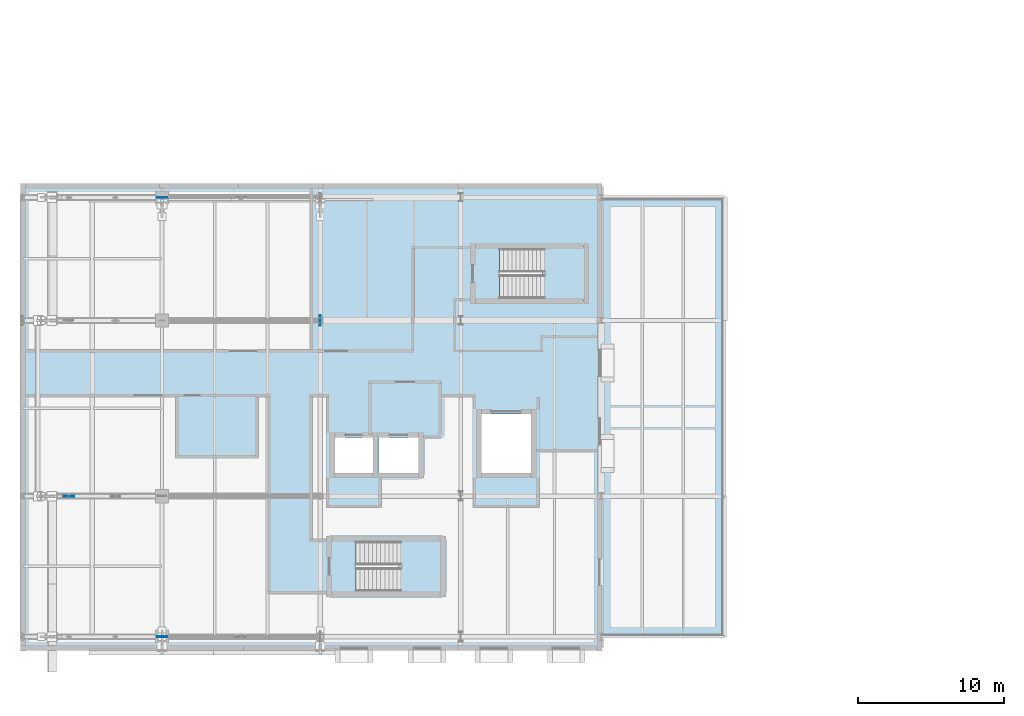
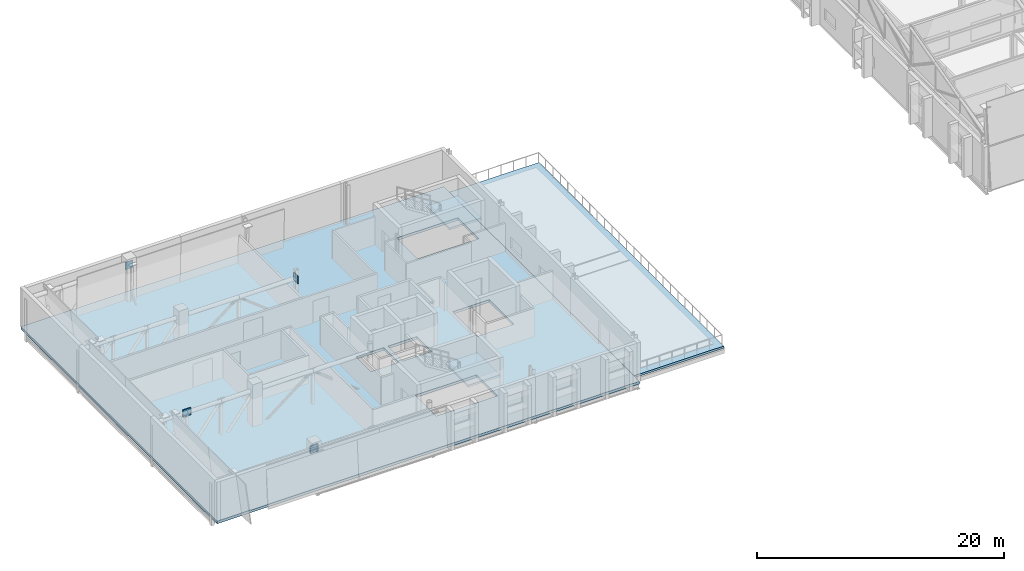
# One storey, part 59 of 89: 4 plates, 4 slabs, 2 elements without a shape of their own.
"""IFC4 building model written with IfcOpenShell, lengths in metres."""

import ifcopenshell
import ifcopenshell.guid

model = None  # the IFC model being written
_history = None  # IfcOwnerHistory: only IFC2X3 demands one
_inside = {}  # id of a spatial element -> (the spatial element, [elements in it])
_under = {}  # id of a project, library or spatial element -> (it, [spatial elements below it])
_declared = {}  # id of a project -> (the project, [libraries it declares])
_typed = {}  # id of a type object -> (the type object, [elements of that type])
_made_of = {}  # id of a material, layer set ... -> (it, [elements and type objects made of it])


def new_model(schema):
    """Start an empty IFC model of exactly this schema.

    Asked for "IFC4X3", IfcOpenShell would pick the latest addendum, in which some entities
    have other attributes; the version numbers below select the first issue.
    IFC2X3 requires an IfcOwnerHistory on every rooted entity: one is made here for all.
    """
    global model, _history
    if schema == "IFC4X3":
        model = ifcopenshell.file(schema_version=(4, 3, 0, 0))
    else:
        model = ifcopenshell.file(schema=schema)
    _inside.clear()
    _under.clear()
    _declared.clear()
    _typed.clear()
    _made_of.clear()
    _history = None
    if model.schema == "IFC2X3":
        org = make("IfcOrganization", Name="unknown")
        user = make(
            "IfcPersonAndOrganization",
            ThePerson=make("IfcPerson", FamilyName="unknown"),
            TheOrganization=org,
        )
        app = make(
            "IfcApplication",
            ApplicationDeveloper=org,
            Version="unknown",
            ApplicationFullName="unknown",
            ApplicationIdentifier="unknown",
        )
        _history = make(
            "IfcOwnerHistory",
            OwningUser=user,
            OwningApplication=app,
            ChangeAction="ADDED",
            CreationDate=0,
        )
    return model


def make(cls, **values):
    """One entity of the class cls with the attributes given. An attribute that is None is left unset."""
    return model.create_entity(
        cls, **{name: value for name, value in values.items() if value is not None}
    )


def rooted(cls, **values):
    """An entity with a GlobalId (a new one), such as an element, a storey or a relation."""
    return make(cls, GlobalId=ifcopenshell.guid.new(), OwnerHistory=_history, **values)


def si_unit(unit_type, name, prefix=None):
    """IfcSIUnit, for example si_unit("LENGTHUNIT", "METRE", prefix="MILLI")."""
    return make("IfcSIUnit", UnitType=unit_type, Prefix=prefix, Name=name)


def assignment(units):
    """IfcUnitAssignment: the units of a project."""
    return None if units is None else make("IfcUnitAssignment", Units=units)


def point(xyz):
    """IfcCartesianPoint."""
    return None if xyz is None else make("IfcCartesianPoint", Coordinates=xyz)


def direction(xyz):
    """IfcDirection."""
    return None if xyz is None else make("IfcDirection", DirectionRatios=xyz)


def frame(location, z_axis=None, x_axis=None):
    """IfcAxis2Placement3D, a coordinate frame: its origin and axes. An axis left out is left unset."""
    return make(
        "IfcAxis2Placement3D",
        Location=point(location),
        Axis=direction(z_axis),
        RefDirection=direction(x_axis),
    )


def frame_2d(location, x_axis=None):
    """IfcAxis2Placement2D, a coordinate frame in the plane: its origin and x axis."""
    return make(
        "IfcAxis2Placement2D", Location=point(location), RefDirection=direction(x_axis)
    )


def origin():
    """The frame at (0, 0, 0) with its axes left unset."""
    return frame((0.0, 0.0, 0.0))


def origin_2d():
    """The frame at (0, 0) in the plane with its x axis left unset."""
    return frame_2d((0.0, 0.0))


def place(relative_to, where):
    """IfcLocalPlacement: puts the frame where relative to a parent placement (None: the world)."""
    return make(
        "IfcLocalPlacement", PlacementRelTo=relative_to, RelativePlacement=where
    )


def context(
    kind, dimensions, precision=None, world=None, true_north=None, identifier=None
):
    """IfcGeometricRepresentationContext, for example the 3D "Model" context."""
    return make(
        "IfcGeometricRepresentationContext",
        ContextIdentifier=identifier,
        ContextType=kind,
        CoordinateSpaceDimension=dimensions,
        Precision=precision,
        WorldCoordinateSystem=world,
        TrueNorth=true_north,
    )


def subcontext(parent, identifier, kind, view, scale=None):
    """IfcGeometricRepresentationSubContext, for example "Body" below "Model"."""
    return make(
        "IfcGeometricRepresentationSubContext",
        ContextIdentifier=identifier,
        ContextType=kind,
        ParentContext=parent,
        TargetScale=scale,
        TargetView=view,
    )


def project(units=None, contexts=None):
    """IfcProject with its units and contexts."""
    return rooted(
        "IfcProject",
        Name="project",
        RepresentationContexts=contexts,
        UnitsInContext=assignment(units),
    )


def spatial(cls, under=None, at=None, **own):
    """A site, building, storey or space (cls), placed at a placement, below another one or the project."""
    s = rooted(cls, ObjectPlacement=at, **own)
    if under is not None:
        _under.setdefault(under.id(), (under, []))[1].append(s)
    return s


def polyline(points):
    """IfcPolyline through the points."""
    return make("IfcPolyline", Points=[point(p) for p in points])


def profile(cls, at=None, kind="AREA", **sizes):
    """A parametric profile (cls). Its sizes go by their IFC names, for example OverallWidth=200.0."""
    return make(cls, ProfileType=kind, Position=at, **sizes)


def rectangle(**sizes):
    """IfcRectangleProfileDef."""
    return profile("IfcRectangleProfileDef", **sizes)


def outline(outer, holes=None, kind="AREA"):
    """IfcArbitraryClosedProfileDef: a profile drawn as a closed curve; with holes, ...WithVoids."""
    if holes is None:
        return make("IfcArbitraryClosedProfileDef", ProfileType=kind, OuterCurve=outer)
    return make(
        "IfcArbitraryProfileDefWithVoids",
        ProfileType=kind,
        OuterCurve=outer,
        InnerCurves=holes,
    )


def extrude(swept, where, along, depth):
    """IfcExtrudedAreaSolid: the profile swept, set in the frame where, extruded along a direction by depth."""
    return make(
        "IfcExtrudedAreaSolid",
        SweptArea=swept,
        Position=where,
        ExtrudedDirection=direction(along),
        Depth=depth,
    )


def shape(context_of_items, identifier, shape_type, items):
    """IfcShapeRepresentation: the items that make up one representation, for example the "Body"."""
    return make(
        "IfcShapeRepresentation",
        ContextOfItems=context_of_items,
        RepresentationIdentifier=identifier,
        RepresentationType=shape_type,
        Items=items,
    )


def material(Name=None, Category=None):
    """IfcMaterial."""
    return make("IfcMaterial", Name=Name, Category=Category)


def layer(
    of_material, thickness, ventilated=None, Name=None, Category=None, Priority=None
):
    """IfcMaterialLayer: one layer of a wall or slab, of a material (None: an air gap)."""
    return make(
        "IfcMaterialLayer",
        Material=of_material,
        LayerThickness=thickness,
        IsVentilated=ventilated,
        Name=Name,
        Category=Category,
        Priority=Priority,
    )


def layer_set(layers, Name=None):
    """IfcMaterialLayerSet."""
    return make("IfcMaterialLayerSet", MaterialLayers=layers, LayerSetName=Name)


def made_of(thing, what):
    """Note that an element or type object is made of a material, layer set ...; save() writes the relation."""
    if what is not None:
        _made_of.setdefault(what.id(), (what, []))[1].append(thing)
    return thing


def type_object(cls, material=None, **own):
    """A type object (cls), such as IfcWallType, which elements share."""
    return made_of(rooted(cls, **own), material)


def element(
    cls,
    number,
    at=None,
    inside=None,
    cuts=None,
    type_object=None,
    material=None,
    context=None,
    identifier="Body",
    shape_type=None,
    held_by="IfcProductDefinitionShape",
    body=None,
    shapes=None,
    **own,
):
    """One element of the class cls, such as IfcWall. Its Tag is "e" and its number.

    at: its placement. inside: the storey or other place that contains it. cuts: it is an
    opening in that element (IfcRelVoidsElement). A single representation is given by context,
    identifier, shape_type and body (its items); several are given by shapes. held_by: the class
    of the entity that holds the representations. save() writes the other relations.
    """
    e = rooted(cls, Tag="e%d" % number, ObjectPlacement=at, **own)
    if body is not None:
        shapes = [shape(context, identifier, shape_type, body)]
    if shapes is not None:
        e.Representation = make(held_by, Representations=shapes)
    if inside is not None:
        _inside.setdefault(inside.id(), (inside, []))[1].append(e)
    if cuts is not None:
        rooted(
            "IfcRelVoidsElement", RelatingBuildingElement=cuts, RelatedOpeningElement=e
        )
    if type_object is not None:
        _typed.setdefault(type_object.id(), (type_object, []))[1].append(e)
    return made_of(e, material)


def aggregate(whole, parts):
    """IfcRelAggregates: a whole, such as a stair, and the parts it consists of."""
    return rooted("IfcRelAggregates", RelatingObject=whole, RelatedObjects=parts)


def save(model, path):
    """Write the relations noted so far, then the file.

    IfcRelAggregates (storeys below a building ...), IfcRelContainedInSpatialStructure (elements
    in a storey), IfcRelDefinesByType, IfcRelAssociatesMaterial and IfcRelDeclares: one each for
    every whole, place, type object, material and project.
    """
    for whole, parts in _under.values():
        aggregate(whole, parts)
    for where, things in _inside.values():
        rooted(
            "IfcRelContainedInSpatialStructure",
            RelatedElements=things,
            RelatingStructure=where,
        )
    for kind, things in _typed.values():
        rooted("IfcRelDefinesByType", RelatedObjects=things, RelatingType=kind)
    for what, things in _made_of.values():
        rooted("IfcRelAssociatesMaterial", RelatedObjects=things, RelatingMaterial=what)
    for by, libraries in _declared.values():
        rooted("IfcRelDeclares", RelatingContext=by, RelatedDefinitions=libraries)
    model.write(path)


model = new_model("IFC4")

# Units and contexts
model_context = context("Model", 3, precision=1e-05, world=origin(), true_north=direction((0.0, 1.0)))
body_context = subcontext(model_context, "Body", "Model", "MODEL_VIEW")
ifc_project = project(units=[si_unit("LENGTHUNIT", "METRE"), si_unit("AREAUNIT", "SQUARE_METRE"), si_unit("VOLUMEUNIT", "CUBIC_METRE"), si_unit("PLANEANGLEUNIT", "RADIAN"), si_unit("MASSUNIT", "GRAM", prefix="KILO")], contexts=[model_context])

# Site, building, storey
site_placement = place(None, origin())
site = spatial("IfcSite", under=ifc_project, at=site_placement, CompositionType="ELEMENT")
building_placement = place(site_placement, origin())
building = spatial("IfcBuilding", under=site, at=building_placement, Name="Zereglee Splitstone Museum", CompositionType="ELEMENT")
storey_placement = place(building_placement, frame((0.0, 0.0, 21.300048828125)))
storey = spatial("IfcBuildingStorey", under=building, at=storey_placement, Name="L04", CompositionType="ELEMENT", Elevation=21.300048828125)

# Plates
ifc_material_1 = material(Name="Steel S355J2", Category="steel")
ifc_layer_1 = layer(ifc_material_1, 0.06005859375)
ifc_layer_set_1 = layer_set([ifc_layer_1], Name="Steel S355J2")
plate_type = type_object("IfcPlateType", Name="NP-01", PredefinedType="SHEET", material=ifc_layer_set_1)
for number, where, z_axis, x_axis, name in (
    (1, (9.60009765625, 0.0, 2.93994140625), (0.0, 0.0, 1.0), (1.0, 0.0, 0.0), "Cantilever Truss Node Plate CN-01"),
    (2, (3.2333984375, 9.60009765625, 2.93994140625), (0.0, 0.0, 1.0), (1.0, 0.0, 0.0), "Cantilever Truss Node Plate CN-02"),
):
    element("IfcPlate", number, at=place(storey_placement, frame(where, z_axis=z_axis, x_axis=x_axis)), inside=storey, type_object=plate_type, Name=name, PredefinedType="SHEET", context=body_context, shape_type="SweptSolid", body=[
        extrude(rectangle(XDim=0.719970703125, YDim=0.06005859375, at=origin_2d()), origin(), (0.0, 0.0, 1.0), 0.719970703125),
    ])
plate_1_placement = place(storey_placement, frame((20.39990234375, 21.60009765625, 2.93994140625), z_axis=(0.0, 0.0, 1.0), x_axis=(1.0, 0.0, 0.0)))
element("IfcPlate", 3, at=plate_1_placement, inside=storey, type_object=plate_type, Name="Cantilever Truss Node Plate CN-03", PredefinedType="SHEET", context=body_context, shape_type="SweptSolid", body=[
    extrude(rectangle(XDim=0.06005859375, YDim=0.719970703125, at=origin_2d()), origin(), (0.0, 0.0, 1.0), 0.719970703125),
])
plate_2_placement = place(storey_placement, frame((9.60009765625, 30.0, 2.93994140625), z_axis=(0.0, 0.0, 1.0), x_axis=(1.0, 0.0, 0.0)))
element("IfcPlate", 4, at=plate_2_placement, inside=storey, type_object=plate_type, Name="Cantilever Truss Node Plate CN-04", PredefinedType="SHEET", context=body_context, shape_type="SweptSolid", body=[
    extrude(rectangle(XDim=0.719970703125, YDim=0.06005859375, at=origin_2d()), origin(), (0.0, 0.0, 1.0), 0.719970703125),
])

# Slab
ifc_material_2 = material(Name="Concrete C35/45", Category="concrete")
ifc_layer_2 = layer(ifc_material_2, 0.260009765625)
ifc_layer_set_2 = layer_set([ifc_layer_2], Name="Concrete C35/45")
slab_type_1 = type_object("IfcSlabType", Name="FS-05", PredefinedType="FLOOR", material=ifc_layer_set_2)
slab_1_placement = place(storey_placement, frame((0.0, 0.0, -0.260009765625)))
element("IfcSlab", 5, at=slab_1_placement, inside=storey, type_object=slab_type_1, Name="Gallery Floor Slab L04-V1", PredefinedType="FLOOR", context=body_context, shape_type="SweptSolid", body=[
    extrude(outline(polyline([(0.0, -0.89990234375), (39.60009765625, -0.89990234375), (39.60009765625, 30.89990234375), (0.0, 30.89990234375), (0.0, -0.89990234375)]), holes=[polyline([(22.85400390625, 3.10009765625), (28.60009765625, 3.10009765625), (28.60009765625, 6.5), (22.85400390625, 6.5), (22.85400390625, 3.10009765625)]), polyline([(32.654052734375, 23.10009765625), (38.39990234375, 23.10009765625), (38.39990234375, 26.5), (32.654052734375, 26.5), (32.654052734375, 23.10009765625)]), polyline([(21.39990234375, 11.199951171875), (24.0, 11.199951171875), (24.0, 13.60009765625), (21.39990234375, 13.60009765625), (21.39990234375, 11.199951171875)]), polyline([(24.39990234375, 11.199951171875), (27.10009765625, 11.199951171875), (27.10009765625, 13.60009765625), (24.39990234375, 13.60009765625), (24.39990234375, 11.199951171875)]), polyline([(31.39990234375, 11.199951171875), (34.800048828125, 11.199951171875), (34.800048828125, 15.199951171875), (31.39990234375, 15.199951171875), (31.39990234375, 11.199951171875)])]), origin(), (0.0, 0.0, 1.0), 0.260009765625),
])

# Stair, slab
stair_type_1 = type_object("IfcStairType", Name="ST-01B", PredefinedType="HALF_TURN_STAIR", material=ifc_material_2)
stair_1_placement = place(storey_placement, origin())
stair_1 = element("IfcStair", 6, at=stair_1_placement, inside=storey, type_object=stair_type_1, Name="L04 Protected Exit Stair ST-01 B", PredefinedType="HALF_TURN_STAIR")
ifc_layer_3 = layer(ifc_material_2, 0.199951171875)
ifc_layer_set_3 = layer_set([ifc_layer_3], Name="Concrete C35/45")
slab_type_2 = type_object("IfcSlabType", Name="ST-01B", PredefinedType="LANDING", material=ifc_layer_set_3)
slab_2_placement = place(storey_placement, frame((0.0, 0.0, 1.89990234375)))
slab_2 = element("IfcSlab", 7, at=slab_2_placement, type_object=slab_type_2, Name="ST-01B landing 1", PredefinedType="LANDING", context=body_context, shape_type="SweptSolid", body=[
    extrude(outline(polyline([(25.75, 2.9599609375), (28.739990234375, 2.9599609375), (28.739990234375, 6.639892578125), (25.75, 6.639892578125), (25.75, 2.9599609375)])), origin(), (0.0, 0.0, 1.0), 0.199951171875),
])
aggregate(stair_1, [slab_2])

stair_type_2 = type_object("IfcStairType", Name="ST-02B", PredefinedType="HALF_TURN_STAIR", material=ifc_material_2)
stair_2_placement = place(storey_placement, origin())
stair_2 = element("IfcStair", 8, at=stair_2_placement, inside=storey, type_object=stair_type_2, Name="L04 Protected Exit Stair ST-02 B", PredefinedType="HALF_TURN_STAIR")
ifc_layer_4 = layer(ifc_material_2, 0.199951171875)
ifc_layer_set_4 = layer_set([ifc_layer_4], Name="Concrete C35/45")
slab_type_3 = type_object("IfcSlabType", Name="ST-02B", PredefinedType="LANDING", material=ifc_layer_set_4)
slab_3_placement = place(storey_placement, frame((0.0, 0.0, 1.89990234375)))
slab_3 = element("IfcSlab", 9, at=slab_3_placement, type_object=slab_type_3, Name="ST-02B landing 1", PredefinedType="LANDING", context=body_context, shape_type="SweptSolid", body=[
    extrude(outline(polyline([(35.550048828125, 22.9599609375), (38.5400390625, 22.9599609375), (38.5400390625, 26.639892578125), (35.550048828125, 26.639892578125), (35.550048828125, 22.9599609375)])), origin(), (0.0, 0.0, 1.0), 0.199951171875),
])
aggregate(stair_2, [slab_3])

# Slab
ifc_layer_5 = layer(ifc_material_2, 0.2099609375)
ifc_layer_set_5 = layer_set([ifc_layer_5], Name="Concrete C35/45")
slab_type_4 = type_object("IfcSlabType", Name="TS-03", PredefinedType="FLOOR", material=ifc_layer_set_5)
slab_4_placement = place(storey_placement, frame((0.0, 0.0, -0.2099609375)))
element("IfcSlab", 10, at=slab_4_placement, inside=storey, type_object=slab_type_4, Name="Outdoor Terrace Deck TER-L04-V1E", PredefinedType="FLOOR", context=body_context, shape_type="SweptSolid", body=[
    extrude(outline(polyline([(39.60009765625, 0.0), (48.0, 0.0), (48.0, 30.0), (39.60009765625, 30.0), (39.60009765625, 0.0)])), origin(), (0.0, 0.0, 1.0), 0.2099609375),
])

save(model, "model.ifc")
